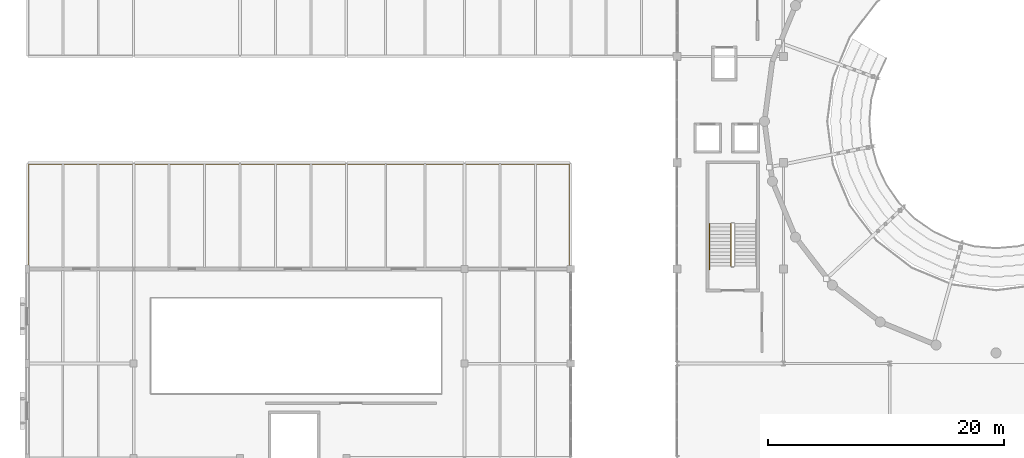
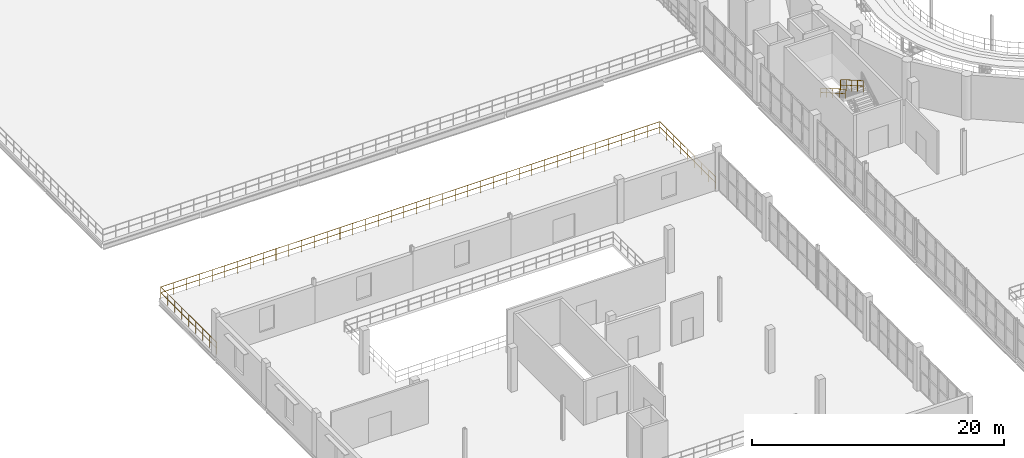
# One storey, part 65 of 73: 3 railings.
"""IFC4 building model written with IfcOpenShell, lengths in metres."""

from ifc_helpers import new_model, si_unit, direction, frame, origin, origin_2d, place, context, subcontext, project, spatial, circle, extrude, material, type_object, element, save


model = new_model("IFC4")

# Units and contexts
model_context = context("Model", 3, precision=1e-05, world=origin(), true_north=direction((0.0, 1.0)))
body_context = subcontext(model_context, "Body", "Model", "MODEL_VIEW")
ifc_project = project(units=[si_unit("LENGTHUNIT", "METRE"), si_unit("AREAUNIT", "SQUARE_METRE"), si_unit("VOLUMEUNIT", "CUBIC_METRE"), si_unit("PLANEANGLEUNIT", "RADIAN"), si_unit("MASSUNIT", "GRAM", prefix="KILO")], contexts=[model_context])

# Site, building, storey
site_placement = place(None, origin())
site = spatial("IfcSite", under=ifc_project, at=site_placement, CompositionType="ELEMENT")
building_placement = place(site_placement, origin())
building = spatial("IfcBuilding", under=site, at=building_placement, Name="Marnock Terrace Opera House", CompositionType="ELEMENT")
storey_placement = place(building_placement, frame((0.0, 0.0, 14.699951171875)))
storey = spatial("IfcBuildingStorey", under=building, at=storey_placement, Name="L03", CompositionType="ELEMENT", Elevation=14.699951171875)

# Railings
ifc_material_1 = material(Name="Basket Range sandstone ashlar masonry", Category="masonry")
railing_type_1 = type_object("IfcRailingType", Name="RL-BALUST-1150", PredefinedType="BALUSTRADE", material=ifc_material_1)
railing_1_placement = place(storey_placement, frame((0.10009765625, 48.0, 0.0)))
element("IfcRailing", 1, at=railing_1_placement, inside=storey, type_object=railing_type_1, Name="L03 roof-garden balustrade BAL-L03-V3-PERIM", PredefinedType="BALUSTRADE", context=body_context, shape_type="SweptSolid", body=[
    extrude(circle(Radius=0.02392578125, at=origin_2d()), frame((0.0, 0.0, 1.1259765625), z_axis=(0.0, 1.0, 0.0), x_axis=(-1.0, 0.0, 0.0)), (0.0, 0.0, 1.0), 8.89990234375),
    extrude(circle(Radius=0.02392578125, at=origin_2d()), frame((0.0, 0.0, 0.574951171875), z_axis=(0.0, 1.0, 0.0), x_axis=(-1.0, 0.0, 0.0)), (0.0, 0.0, 1.0), 8.89990234375),
    extrude(circle(Radius=0.02392578125, at=origin_2d()), frame((0.0, 8.89990234375, 1.1259765625), z_axis=(1.0, 0.0, 0.0), x_axis=(0.0, 1.0, 0.0)), (0.0, 0.0, 1.0), 45.7998046875),
    extrude(circle(Radius=0.02392578125, at=origin_2d()), frame((0.0, 8.89990234375, 0.574951171875), z_axis=(1.0, 0.0, 0.0), x_axis=(0.0, 1.0, 0.0)), (0.0, 0.0, 1.0), 45.7998046875),
    extrude(circle(Radius=0.02392578125, at=origin_2d()), frame((45.7998046875, 8.89990234375, 1.1259765625), z_axis=(0.0, -1.0, 0.0), x_axis=(1.0, 0.0, 0.0)), (0.0, 0.0, 1.0), 8.89990234375),
    extrude(circle(Radius=0.02392578125, at=origin_2d()), frame((45.7998046875, 8.89990234375, 0.574951171875), z_axis=(0.0, -1.0, 0.0), x_axis=(1.0, 0.0, 0.0)), (0.0, 0.0, 1.0), 8.89990234375),
    extrude(circle(Radius=0.02099609375, at=origin_2d()), origin(), (0.0, 0.0, 1.0), 1.101806640625),
    extrude(circle(Radius=0.02099609375, at=origin_2d()), frame((0.0, 1.112548828125, 0.0)), (0.0, 0.0, 1.0), 1.101806640625),
    extrude(circle(Radius=0.02099609375, at=origin_2d()), frame((0.0, 2.22509765625, 0.0)), (0.0, 0.0, 1.0), 1.101806640625),
    extrude(circle(Radius=0.02099609375, at=origin_2d()), frame((0.0, 3.33740234375, 0.0)), (0.0, 0.0, 1.0), 1.101806640625),
    extrude(circle(Radius=0.02099609375, at=origin_2d()), frame((0.0, 4.449951171875, 0.0)), (0.0, 0.0, 1.0), 1.101806640625),
    extrude(circle(Radius=0.02099609375, at=origin_2d()), frame((0.0, 5.5625, 0.0)), (0.0, 0.0, 1.0), 1.101806640625),
    extrude(circle(Radius=0.02099609375, at=origin_2d()), frame((0.0, 6.6748046875, 0.0)), (0.0, 0.0, 1.0), 1.101806640625),
    extrude(circle(Radius=0.02099609375, at=origin_2d()), frame((0.0, 7.787353515625, 0.0)), (0.0, 0.0, 1.0), 1.101806640625),
    extrude(circle(Radius=0.02099609375, at=origin_2d()), frame((0.0, 8.89990234375, 0.0)), (0.0, 0.0, 1.0), 1.101806640625),
    extrude(circle(Radius=0.02099609375, at=origin_2d()), frame((1.17431640625, 8.89990234375, 0.0)), (0.0, 0.0, 1.0), 1.101806640625),
    extrude(circle(Radius=0.02099609375, at=origin_2d()), frame((2.3486328125, 8.89990234375, 0.0)), (0.0, 0.0, 1.0), 1.101806640625),
    extrude(circle(Radius=0.02099609375, at=origin_2d()), frame((3.52294921875, 8.89990234375, 0.0)), (0.0, 0.0, 1.0), 1.101806640625),
    extrude(circle(Radius=0.02099609375, at=origin_2d()), frame((4.697509765625, 8.89990234375, 0.0)), (0.0, 0.0, 1.0), 1.101806640625),
    extrude(circle(Radius=0.02099609375, at=origin_2d()), frame((5.871826171875, 8.89990234375, 0.0)), (0.0, 0.0, 1.0), 1.101806640625),
    extrude(circle(Radius=0.02099609375, at=origin_2d()), frame((7.046142578125, 8.89990234375, 0.0)), (0.0, 0.0, 1.0), 1.101806640625),
    extrude(circle(Radius=0.02099609375, at=origin_2d()), frame((8.220458984375, 8.89990234375, 0.0)), (0.0, 0.0, 1.0), 1.101806640625),
    extrude(circle(Radius=0.02099609375, at=origin_2d()), frame((9.394775390625, 8.89990234375, 0.0)), (0.0, 0.0, 1.0), 1.101806640625),
    extrude(circle(Radius=0.02099609375, at=origin_2d()), frame((10.569091796875, 8.89990234375, 0.0)), (0.0, 0.0, 1.0), 1.101806640625),
    extrude(circle(Radius=0.02099609375, at=origin_2d()), frame((11.74365234375, 8.89990234375, 0.0)), (0.0, 0.0, 1.0), 1.101806640625),
    extrude(circle(Radius=0.02099609375, at=origin_2d()), frame((12.91796875, 8.89990234375, 0.0)), (0.0, 0.0, 1.0), 1.101806640625),
    extrude(circle(Radius=0.02099609375, at=origin_2d()), frame((14.09228515625, 8.89990234375, 0.0)), (0.0, 0.0, 1.0), 1.101806640625),
    extrude(circle(Radius=0.02099609375, at=origin_2d()), frame((15.2666015625, 8.89990234375, 0.0)), (0.0, 0.0, 1.0), 1.101806640625),
    extrude(circle(Radius=0.02099609375, at=origin_2d()), frame((16.44091796875, 8.89990234375, 0.0)), (0.0, 0.0, 1.0), 1.101806640625),
    extrude(circle(Radius=0.02099609375, at=origin_2d()), frame((17.615234375, 8.89990234375, 0.0)), (0.0, 0.0, 1.0), 1.101806640625),
    extrude(circle(Radius=0.02099609375, at=origin_2d()), frame((18.78955078125, 8.89990234375, 0.0)), (0.0, 0.0, 1.0), 1.101806640625),
    extrude(circle(Radius=0.02099609375, at=origin_2d()), frame((19.964111328125, 8.89990234375, 0.0)), (0.0, 0.0, 1.0), 1.101806640625),
    extrude(circle(Radius=0.02099609375, at=origin_2d()), frame((21.138427734375, 8.89990234375, 0.0)), (0.0, 0.0, 1.0), 1.101806640625),
    extrude(circle(Radius=0.02099609375, at=origin_2d()), frame((22.312744140625, 8.89990234375, 0.0)), (0.0, 0.0, 1.0), 1.101806640625),
    extrude(circle(Radius=0.02099609375, at=origin_2d()), frame((23.487060546875, 8.89990234375, 0.0)), (0.0, 0.0, 1.0), 1.101806640625),
    extrude(circle(Radius=0.02099609375, at=origin_2d()), frame((24.661376953125, 8.89990234375, 0.0)), (0.0, 0.0, 1.0), 1.101806640625),
    extrude(circle(Radius=0.02099609375, at=origin_2d()), frame((25.835693359375, 8.89990234375, 0.0)), (0.0, 0.0, 1.0), 1.101806640625),
    extrude(circle(Radius=0.02099609375, at=origin_2d()), frame((27.01025390625, 8.89990234375, 0.0)), (0.0, 0.0, 1.0), 1.101806640625),
    extrude(circle(Radius=0.02099609375, at=origin_2d()), frame((28.1845703125, 8.89990234375, 0.0)), (0.0, 0.0, 1.0), 1.101806640625),
    extrude(circle(Radius=0.02099609375, at=origin_2d()), frame((29.35888671875, 8.89990234375, 0.0)), (0.0, 0.0, 1.0), 1.101806640625),
    extrude(circle(Radius=0.02099609375, at=origin_2d()), frame((30.533203125, 8.89990234375, 0.0)), (0.0, 0.0, 1.0), 1.101806640625),
    extrude(circle(Radius=0.02099609375, at=origin_2d()), frame((31.70751953125, 8.89990234375, 0.0)), (0.0, 0.0, 1.0), 1.101806640625),
    extrude(circle(Radius=0.02099609375, at=origin_2d()), frame((32.8818359375, 8.89990234375, 0.0)), (0.0, 0.0, 1.0), 1.101806640625),
    extrude(circle(Radius=0.02099609375, at=origin_2d()), frame((34.05615234375, 8.89990234375, 0.0)), (0.0, 0.0, 1.0), 1.101806640625),
    extrude(circle(Radius=0.02099609375, at=origin_2d()), frame((35.230712890625, 8.89990234375, 0.0)), (0.0, 0.0, 1.0), 1.101806640625),
    extrude(circle(Radius=0.02099609375, at=origin_2d()), frame((36.405029296875, 8.89990234375, 0.0)), (0.0, 0.0, 1.0), 1.101806640625),
    extrude(circle(Radius=0.02099609375, at=origin_2d()), frame((37.579345703125, 8.89990234375, 0.0)), (0.0, 0.0, 1.0), 1.101806640625),
    extrude(circle(Radius=0.02099609375, at=origin_2d()), frame((38.753662109375, 8.89990234375, 0.0)), (0.0, 0.0, 1.0), 1.101806640625),
    extrude(circle(Radius=0.02099609375, at=origin_2d()), frame((39.927978515625, 8.89990234375, 0.0)), (0.0, 0.0, 1.0), 1.101806640625),
    extrude(circle(Radius=0.02099609375, at=origin_2d()), frame((41.102294921875, 8.89990234375, 0.0)), (0.0, 0.0, 1.0), 1.101806640625),
    extrude(circle(Radius=0.02099609375, at=origin_2d()), frame((42.27685546875, 8.89990234375, 0.0)), (0.0, 0.0, 1.0), 1.101806640625),
    extrude(circle(Radius=0.02099609375, at=origin_2d()), frame((43.451171875, 8.89990234375, 0.0)), (0.0, 0.0, 1.0), 1.101806640625),
    extrude(circle(Radius=0.02099609375, at=origin_2d()), frame((44.62548828125, 8.89990234375, 0.0)), (0.0, 0.0, 1.0), 1.101806640625),
    extrude(circle(Radius=0.02099609375, at=origin_2d()), frame((45.7998046875, 8.89990234375, 0.0)), (0.0, 0.0, 1.0), 1.101806640625),
    extrude(circle(Radius=0.02099609375, at=origin_2d()), frame((45.7998046875, 7.787353515625, 0.0)), (0.0, 0.0, 1.0), 1.101806640625),
    extrude(circle(Radius=0.02099609375, at=origin_2d()), frame((45.7998046875, 6.6748046875, 0.0)), (0.0, 0.0, 1.0), 1.101806640625),
    extrude(circle(Radius=0.02099609375, at=origin_2d()), frame((45.7998046875, 5.5625, 0.0)), (0.0, 0.0, 1.0), 1.101806640625),
    extrude(circle(Radius=0.02099609375, at=origin_2d()), frame((45.7998046875, 4.449951171875, 0.0)), (0.0, 0.0, 1.0), 1.101806640625),
    extrude(circle(Radius=0.02099609375, at=origin_2d()), frame((45.7998046875, 3.33740234375, 0.0)), (0.0, 0.0, 1.0), 1.101806640625),
    extrude(circle(Radius=0.02099609375, at=origin_2d()), frame((45.7998046875, 2.22509765625, 0.0)), (0.0, 0.0, 1.0), 1.101806640625),
    extrude(circle(Radius=0.02099609375, at=origin_2d()), frame((45.7998046875, 1.112548828125, 0.0)), (0.0, 0.0, 1.0), 1.101806640625),
    extrude(circle(Radius=0.02099609375, at=origin_2d()), frame((45.7998046875, 0.0, 0.0)), (0.0, 0.0, 1.0), 1.101806640625),
])
ifc_material_2 = material(Name="Architectural bronze balustrade")
railing_type_2 = type_object("IfcRailingType", Name="RL-GUARD-1100", PredefinedType="GUARDRAIL", material=ifc_material_2)
railing_2_placement = place(storey_placement, frame((59.550048828125, 51.840087890625, 2.423095703125)))
element("IfcRailing", 2, at=railing_2_placement, inside=storey, type_object=railing_type_2, Name="L03 ST-01 stair guard 3", PredefinedType="GUARDRAIL", context=body_context, shape_type="SweptSolid", body=[
    extrude(circle(Radius=0.02392578125, at=origin_2d()), frame((0.0, 0.0, 1.076171875), z_axis=(0.0, -0.866193409371, 0.499708892819), x_axis=(1.0, 0.0, 0.0)), (0.0, 0.0, 1.0), 4.15625),
    extrude(circle(Radius=0.02392578125, at=origin_2d()), frame((0.0, 0.0, 0.550048828125), z_axis=(0.0, -0.866193409371, 0.499708892819), x_axis=(1.0, 0.0, 0.0)), (0.0, 0.0, 1.0), 4.15625),
    extrude(circle(Radius=0.02099609375, at=origin_2d()), origin(), (0.0, 0.0, 1.0), 1.052001953125),
    extrude(circle(Radius=0.02099609375, at=origin_2d()), frame((0.0, -0.89990234375, 0.519287109375)), (0.0, 0.0, 1.0), 1.052001953125),
    extrude(circle(Radius=0.02099609375, at=origin_2d()), frame((0.0, -1.800048828125, 1.03857421875)), (0.0, 0.0, 1.0), 1.052001953125),
    extrude(circle(Radius=0.02099609375, at=origin_2d()), frame((0.0, -2.7001953125, 1.5576171875)), (0.0, 0.0, 1.0), 1.052001953125),
    extrude(circle(Radius=0.02099609375, at=origin_2d()), frame((0.0, -3.60009765625, 2.076904296875)), (0.0, 0.0, 1.0), 1.052001953125),
])
railing_type_3 = type_object("IfcRailingType", Name="RL-HAND-900", PredefinedType="HANDRAIL", material=ifc_material_2)
railing_3_placement = place(storey_placement, frame((57.72998046875, 51.840087890625, 2.43505859375)))
element("IfcRailing", 3, at=railing_3_placement, inside=storey, type_object=railing_type_3, Name="L03 ST-01 stair handrail 2", PredefinedType="HANDRAIL", context=body_context, shape_type="SweptSolid", body=[
    extrude(circle(Radius=0.02392578125, at=origin_2d()), frame((0.0, 0.0, 0.8759765625), z_axis=(0.0, -0.866193710181, 0.499708371395), x_axis=(1.0, 0.0, 0.0)), (0.0, 0.0, 1.0), 4.502685546875),
    extrude(circle(Radius=0.02392578125, at=origin_2d()), frame((0.0, 0.0, 0.449951171875), z_axis=(0.0, -0.866193710181, 0.499708371395), x_axis=(1.0, 0.0, 0.0)), (0.0, 0.0, 1.0), 4.502685546875),
    extrude(circle(Radius=0.02099609375, at=origin_2d()), origin(), (0.0, 0.0, 1.0), 0.851806640625),
    extrude(circle(Radius=0.02099609375, at=origin_2d()), frame((0.0, -0.97509765625, 0.5625)), (0.0, 0.0, 1.0), 0.851806640625),
    extrude(circle(Radius=0.02099609375, at=origin_2d()), frame((0.0, -1.9501953125, 1.125)), (0.0, 0.0, 1.0), 0.851806640625),
    extrude(circle(Radius=0.02099609375, at=origin_2d()), frame((0.0, -2.925048828125, 1.6875)), (0.0, 0.0, 1.0), 0.851806640625),
    extrude(circle(Radius=0.02099609375, at=origin_2d()), frame((0.0, -3.900146484375, 2.25)), (0.0, 0.0, 1.0), 0.851806640625),
])

save(model, "model.ifc")
